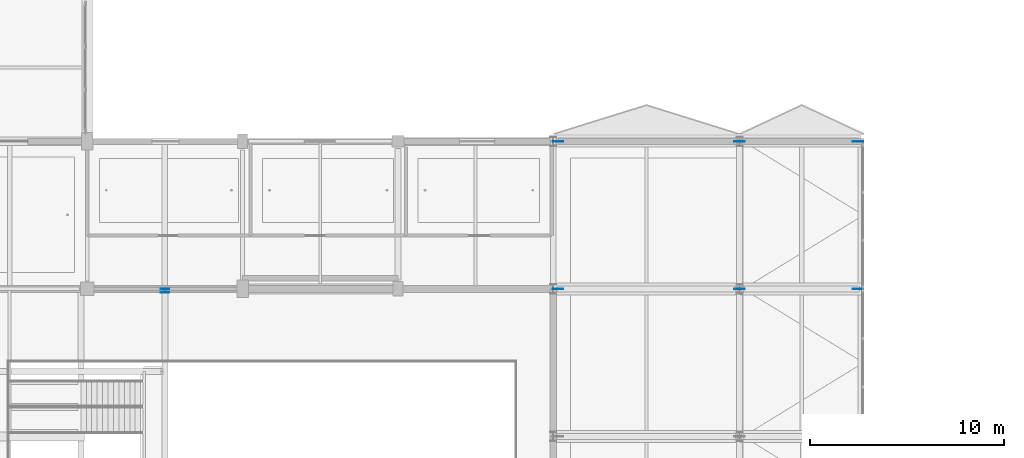
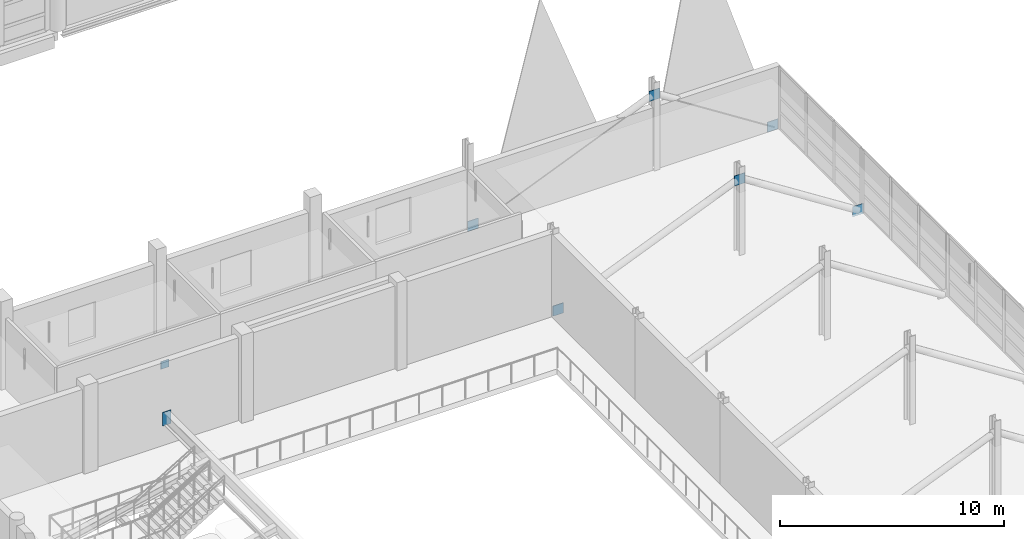
# One storey, part 81 of 147: 8 plates.
"""IFC4 building model written with IfcOpenShell, lengths in metres."""

from ifc_helpers import new_model, si_unit, direction, frame, origin, origin_2d, place, context, subcontext, project, spatial, rectangle, extrude, material, layer, layer_set, type_object, element, save


model = new_model("IFC4")

# Units and contexts
model_context = context("Model", 3, precision=1e-05, world=origin(), true_north=direction((0.0, 1.0)))
body_context = subcontext(model_context, "Body", "Model", "MODEL_VIEW")
ifc_project = project(units=[si_unit("LENGTHUNIT", "METRE"), si_unit("AREAUNIT", "SQUARE_METRE"), si_unit("VOLUMEUNIT", "CUBIC_METRE"), si_unit("PLANEANGLEUNIT", "RADIAN"), si_unit("MASSUNIT", "GRAM", prefix="KILO")], contexts=[model_context])

# Site, building, storey
site_placement = place(None, origin())
site = spatial("IfcSite", under=ifc_project, at=site_placement, CompositionType="ELEMENT")
building_placement = place(site_placement, origin())
building = spatial("IfcBuilding", under=site, at=building_placement, Name="Khelvaren Railside Concert Hall", CompositionType="ELEMENT")
storey_placement = place(building_placement, frame((0.0, 0.0, 5.39990234375)))
storey = spatial("IfcBuildingStorey", under=building, at=storey_placement, Name="L01", CompositionType="ELEMENT", Elevation=5.39990234375)

# Plates
ifc_material = material(Name="Steel S355", Category="steel")
ifc_layer_1 = layer(ifc_material, 0.028076171875)
ifc_layer_set_1 = layer_set([ifc_layer_1], Name="Steel S355")
plate_type_1 = type_object("IfcPlateType", Name="GP71", PredefinedType="USERDEFINED", material=ifc_layer_set_1)
for number, where, z_axis, x_axis, name in (
    (1, (55.699951171875, 38.0, -0.125), (0.0, 0.0, 1.0), (1.0, 0.0, 0.0), "Cantilever Truss End Node Assembly L01-6-TIP"),
    (2, (49.60009765625, 38.0, 3.68505859375), (0.0, 0.0, 1.0), (1.0, 0.0, 0.0), "Cantilever Truss End Node Assembly L01-6-TOP"),
    (3, (40.25, 38.0, -0.125), (0.0, 0.0, 1.0), (1.0, 0.0, 0.0), "Cantilever Truss End Node Assembly L01-6-BS"),
    (4, (55.699951171875, 45.60009765625, -0.125), (0.0, 0.0, 1.0), (1.0, 0.0, 0.0), "Cantilever Truss End Node Assembly L01-7-TIP"),
    (5, (49.60009765625, 45.60009765625, 3.68505859375), (0.0, 0.0, 1.0), (1.0, 0.0, 0.0), "Cantilever Truss End Node Assembly L01-7-TOP"),
    (6, (40.25, 45.60009765625, -0.125), (0.0, 0.0, 1.0), (1.0, 0.0, 0.0), "Cantilever Truss End Node Assembly L01-7-BS"),
):
    element("IfcPlate", number, at=place(storey_placement, frame(where, z_axis=z_axis, x_axis=x_axis)), inside=storey, type_object=plate_type_1, Name=name, ObjectType="GUSSET PLATE", PredefinedType="USERDEFINED", context=body_context, shape_type="SweptSolid", body=[
        extrude(rectangle(XDim=0.550048828125, YDim=0.028076171875, at=origin_2d()), origin(), (0.0, 0.0, 1.0), 0.550048828125),
    ])
plate_1_placement = place(storey_placement, frame((20.0, 37.830078125, 1.065185546875), z_axis=(0.0, 0.0, 1.0), x_axis=(1.0, 0.0, 0.0)))
element("IfcPlate", 7, at=plate_1_placement, inside=storey, type_object=plate_type_1, Name="Cast-In Shear Wall Embedment Plate V1-L01-RKHDR-N", ObjectType="GUSSET PLATE", PredefinedType="USERDEFINED", context=body_context, shape_type="SweptSolid", body=[
    extrude(rectangle(XDim=0.449951171875, YDim=0.028076171875, at=origin_2d()), origin(), (0.0, 0.0, 1.0), 0.75),
])
ifc_layer_2 = layer(ifc_material, 0.02197265625)
ifc_layer_set_2 = layer_set([ifc_layer_2], Name="Steel S355")
plate_type_2 = type_object("IfcPlateType", Name="STP73", PredefinedType="USERDEFINED", material=ifc_layer_set_2)
plate_2_placement = place(storey_placement, frame((20.0, 38.0, 4.050048828125), z_axis=(0.0, 0.0, 1.0), x_axis=(1.0, 0.0, 0.0)))
element("IfcPlate", 8, at=plate_2_placement, inside=storey, type_object=plate_type_2, Name="V1 L01 Brace Apex Stiffener Plate 34", ObjectType="STIFFENER PLATE", PredefinedType="USERDEFINED", context=body_context, shape_type="SweptSolid", body=[
    extrude(rectangle(XDim=0.419921875, YDim=0.02197265625, at=origin_2d()), origin(), (0.0, 0.0, 1.0), 0.419921875),
])

save(model, "model.ifc")
